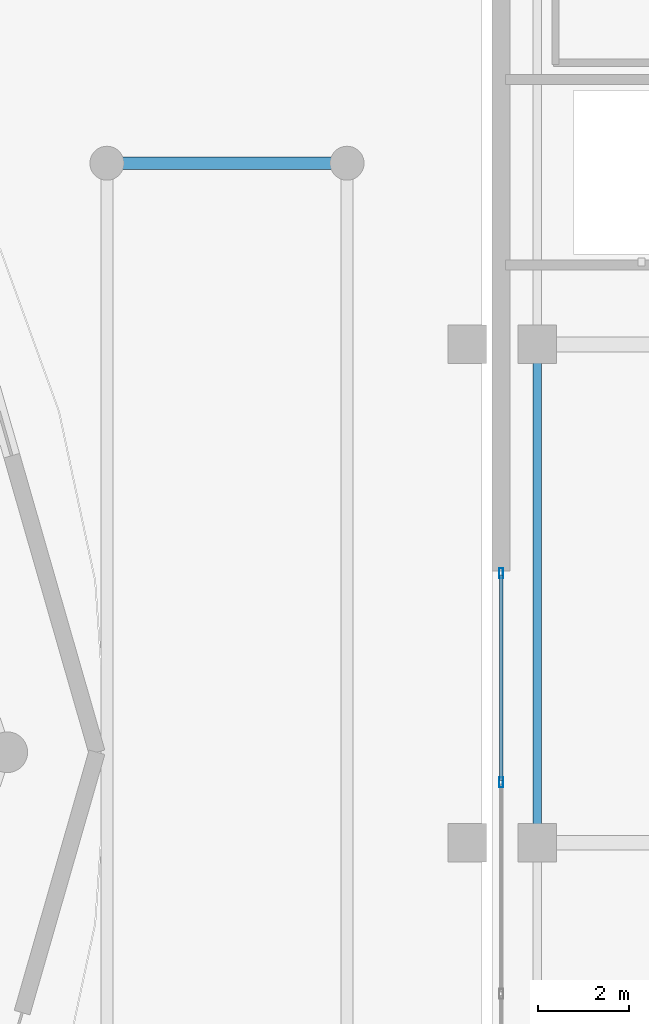
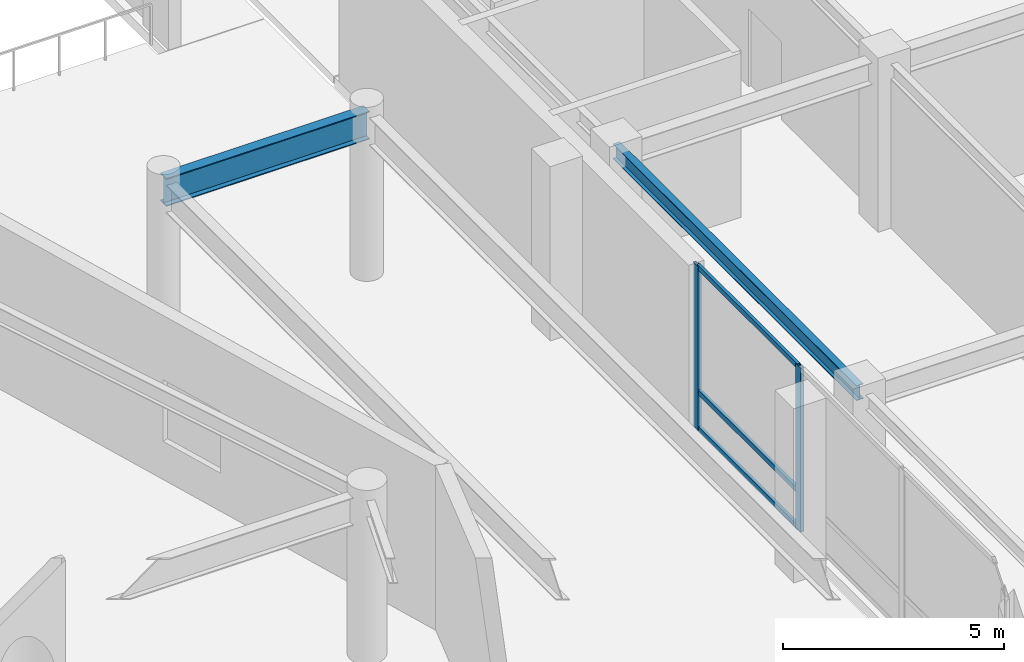
# One storey, part 14 of 35: 5 members, 2 beams, 1 element without a shape of its own.
"""IFC4 building model written with IfcOpenShell, lengths in metres."""

from ifc_helpers import new_model, si_unit, direction, frame, origin, origin_2d, place, context, subcontext, project, spatial, hollow_rectangle, i_section, extrude, material, layer, layer_set, material_profile, profile_set, type_object, element, aggregate, save


model = new_model("IFC4")

# Units and contexts
model_context = context("Model", 3, precision=1e-05, world=origin(), true_north=direction((0.0, 1.0)))
body_context = subcontext(model_context, "Body", "Model", "MODEL_VIEW")
ifc_project = project(units=[si_unit("LENGTHUNIT", "METRE"), si_unit("AREAUNIT", "SQUARE_METRE"), si_unit("VOLUMEUNIT", "CUBIC_METRE"), si_unit("PLANEANGLEUNIT", "RADIAN"), si_unit("MASSUNIT", "GRAM", prefix="KILO")], contexts=[model_context])

# Site, building, storey
site_placement = place(None, origin())
site = spatial("IfcSite", under=ifc_project, at=site_placement, CompositionType="ELEMENT")
building_placement = place(site_placement, origin())
building = spatial("IfcBuilding", under=site, at=building_placement, Name="Kazevale Care Tower and Concert Hall", CompositionType="ELEMENT")
storey_placement = place(building_placement, origin())
storey = spatial("IfcBuildingStorey", under=building, at=storey_placement, Name="L00", CompositionType="ELEMENT", Elevation=0.0)

# Curtain wall, members
ifc_material_1 = material(Name="Aluminium 6063-T6 and Low-E Glass", Category="aluminium")
ifc_layer = layer(ifc_material_1, 0.179931640625)
ifc_layer_set = layer_set([ifc_layer], Name="Aluminium 6063-T6 and Low-E Glass")
curtain_wall_type = type_object("IfcCurtainWallType", Name="Concert Hall Foyer Storefront Curtain Wall CW-6", PredefinedType="NOTDEFINED", material=ifc_layer_set)
curtain_wall_placement = place(storey_placement, origin())
curtain_wall = element("IfcCurtainWall", 1, at=curtain_wall_placement, inside=storey, type_object=curtain_wall_type, Name="cw:L00:hall:W2", PredefinedType="NOTDEFINED")
ifc_material_2 = material(Name="Aluminium 6063-T6", Category="aluminium")
ifc_material_profile_1 = material_profile(ifc_material_2, hollow_rectangle(XDim=0.090087890625, YDim=0.219970703125, WallThickness=0.0048828125, at=origin_2d()), Name="ALU90x220x5")
ifc_profile_set_1 = profile_set([ifc_material_profile_1], Name="Aluminium 6063-T6")
member_type_1 = type_object("IfcMemberType", Name="CW-6 Mullion ALU90x220x5", PredefinedType="MULLION", material=ifc_profile_set_1)
member_1_placement = place(storey_placement, frame((96.199951171875, 41.955078125, 0.0), z_axis=(0.0, 0.0, 1.0), x_axis=(1.0, 0.0, 0.0)))
member_1 = element("IfcMember", 2, at=member_1_placement, type_object=member_type_1, Name="CW-6 mullion 1", PredefinedType="MULLION", context=body_context, shape_type="SweptSolid", body=[
    extrude(hollow_rectangle(XDim=0.090087890625, YDim=0.219970703125, WallThickness=0.0048828125, at=origin_2d()), origin(), (0.0, 0.0, 1.0), 4.52001953125),
])
member_2_placement = place(storey_placement, frame((96.199951171875, 37.333251953125, 0.0), z_axis=(0.0, 0.0, 1.0), x_axis=(1.0, 0.0, 0.0)))
member_2 = element("IfcMember", 3, at=member_2_placement, type_object=member_type_1, Name="CW-6 mullion 2", PredefinedType="MULLION", context=body_context, shape_type="SweptSolid", body=[
    extrude(hollow_rectangle(XDim=0.090087890625, YDim=0.219970703125, WallThickness=0.0048828125, at=origin_2d()), origin(), (0.0, 0.0, 1.0), 4.52001953125),
])
ifc_material_profile_2 = material_profile(ifc_material_2, hollow_rectangle(XDim=0.080078125, YDim=0.139892578125, WallThickness=0.00390625, at=origin_2d()), Name="ALU80x140x4")
ifc_profile_set_2 = profile_set([ifc_material_profile_2], Name="Aluminium 6063-T6")
member_type_2 = type_object("IfcMemberType", Name="CW-6 Transom ALU80x140x4", PredefinedType="USERDEFINED", material=ifc_profile_set_2)
member_3_placement = place(storey_placement, frame((96.199951171875, 41.909912109375, 0.0400390625), z_axis=(0.0, -1.0, 0.0), x_axis=(1.0, 0.0, 0.0)))
member_3 = element("IfcMember", 4, at=member_3_placement, type_object=member_type_2, Name="CW-6 transom 1.1", ObjectType="TRANSOM", PredefinedType="USERDEFINED", context=body_context, shape_type="SweptSolid", body=[
    extrude(hollow_rectangle(XDim=0.080078125, YDim=0.139892578125, WallThickness=0.00390625, at=origin_2d()), origin(), (0.0, 0.0, 1.0), 4.531494140625),
])
member_4_placement = place(storey_placement, frame((96.199951171875, 41.909912109375, 1.050048828125), z_axis=(0.0, -1.0, 0.0), x_axis=(1.0, 0.0, 0.0)))
member_4 = element("IfcMember", 5, at=member_4_placement, type_object=member_type_2, Name="CW-6 transom 1.2", ObjectType="TRANSOM", PredefinedType="USERDEFINED", context=body_context, shape_type="SweptSolid", body=[
    extrude(hollow_rectangle(XDim=0.080078125, YDim=0.139892578125, WallThickness=0.00390625, at=origin_2d()), origin(), (0.0, 0.0, 1.0), 4.531494140625),
])
member_5_placement = place(storey_placement, frame((96.199951171875, 41.909912109375, 4.47998046875), z_axis=(0.0, -1.0, 0.0), x_axis=(1.0, 0.0, 0.0)))
member_5 = element("IfcMember", 6, at=member_5_placement, type_object=member_type_2, Name="CW-6 transom 1.3", ObjectType="TRANSOM", PredefinedType="USERDEFINED", context=body_context, shape_type="SweptSolid", body=[
    extrude(hollow_rectangle(XDim=0.080078125, YDim=0.139892578125, WallThickness=0.00390625, at=origin_2d()), origin(), (0.0, 0.0, 1.0), 4.531494140625),
])
aggregate(curtain_wall, [member_1, member_2, member_3, member_4, member_5])

# Beams
ifc_material_3 = material(Name="Steel ASTM A572 Gr 50", Category="steel")
ifc_material_profile_3 = material_profile(ifc_material_3, i_section(OverallWidth=0.180908203125, OverallDepth=0.4169921875, WebThickness=0.010986328125, FlangeThickness=0.018310546875, at=origin_2d()), Name="W410x85")
ifc_profile_set_3 = profile_set([ifc_material_profile_3], Name="Steel ASTM A572 Gr 50")
beam_type_1 = type_object("IfcBeamType", Name="Concert Hall Secondary Beam W410x85", PredefinedType="BEAM", material=ifc_profile_set_3)
beam_1_placement = place(storey_placement, frame((97.0, 36.0, 4.3115234375), z_axis=(0.0, 1.0, 0.0), x_axis=(-1.0, 0.0, 0.0)))
element("IfcBeam", 7, at=beam_1_placement, inside=storey, type_object=beam_type_1, Name="beam:L00:hy:97_36", PredefinedType="BEAM", context=body_context, shape_type="SweptSolid", body=[
    extrude(i_section(OverallWidth=0.180908203125, OverallDepth=0.4169921875, WebThickness=0.010986328125, FlangeThickness=0.018310546875, at=origin_2d()), origin(), (0.0, 0.0, 1.0), 11.0),
])
ifc_material_profile_4 = material_profile(ifc_material_3, i_section(OverallWidth=0.26806640625, OverallDepth=0.77001953125, WebThickness=0.015625, FlangeThickness=0.025390625, at=origin_2d()), Name="W760x196")
ifc_profile_set_4 = profile_set([ifc_material_profile_4], Name="Steel ASTM A572 Gr 50")
beam_type_2 = type_object("IfcBeamType", Name="Podium Primary Girder W760x196", PredefinedType="BEAM", material=ifc_profile_set_4)
beam_2_placement = place(storey_placement, frame((92.800048828125, 51.0, 4.125), z_axis=(-1.0, 0.0, 0.0), x_axis=(0.0, -1.0, 0.0)))
element("IfcBeam", 8, at=beam_2_placement, inside=storey, type_object=beam_type_2, Name="beam:L00:gbox:3", PredefinedType="BEAM", context=body_context, shape_type="SweptSolid", body=[
    extrude(i_section(OverallWidth=0.26806640625, OverallDepth=0.77001953125, WebThickness=0.015625, FlangeThickness=0.025390625, at=origin_2d()), origin(), (0.0, 0.0, 1.0), 5.300048828125),
])

save(model, "model.ifc")
